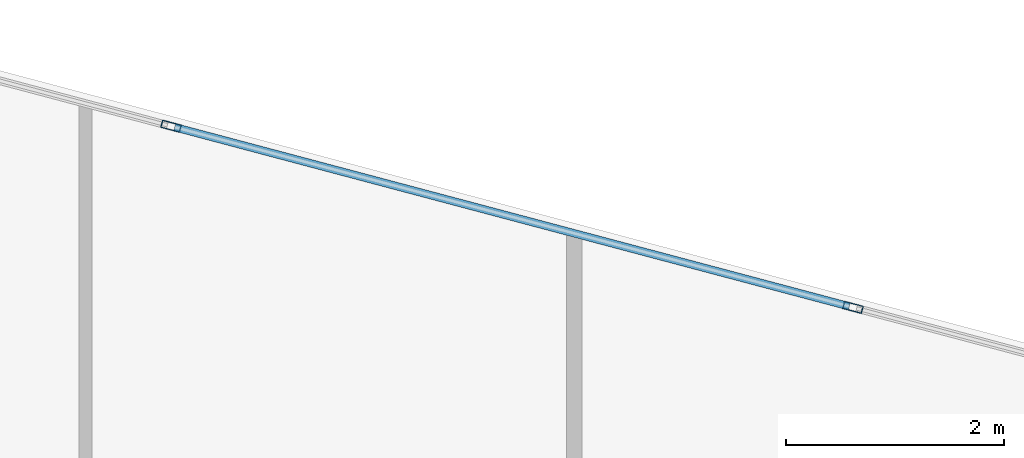
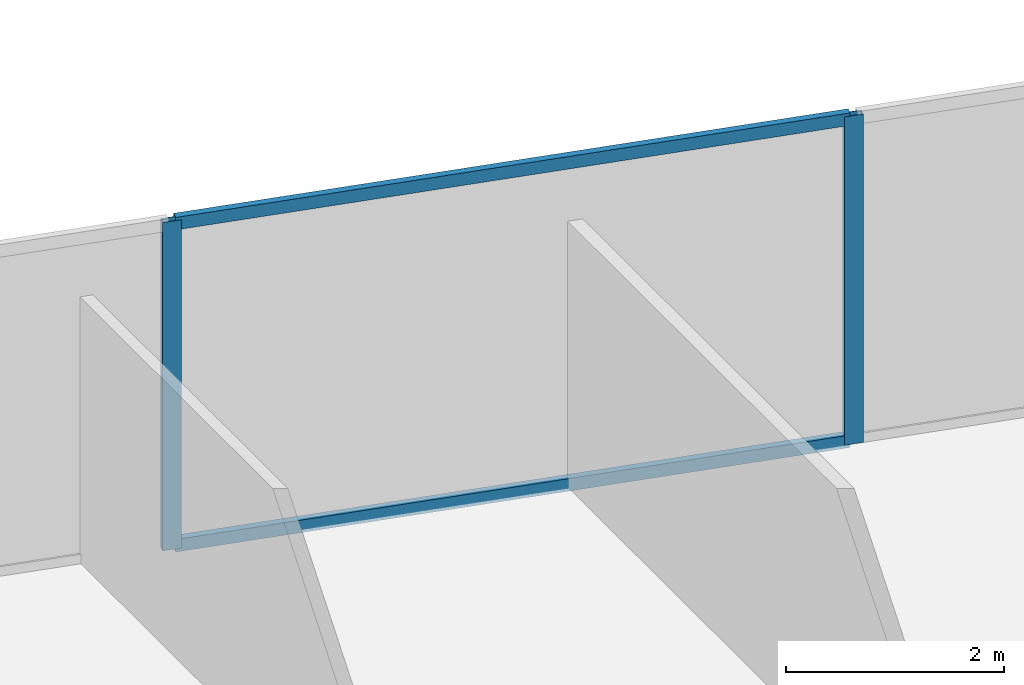
# One storey, part 21 of 27: 4 members, 1 element without a shape of its own.
"""IFC4 building model written with IfcOpenShell, lengths in metres."""

import ifcopenshell
import ifcopenshell.guid

model = None  # the IFC model being written
_history = None  # IfcOwnerHistory: only IFC2X3 demands one
_inside = {}  # id of a spatial element -> (the spatial element, [elements in it])
_under = {}  # id of a project, library or spatial element -> (it, [spatial elements below it])
_declared = {}  # id of a project -> (the project, [libraries it declares])
_typed = {}  # id of a type object -> (the type object, [elements of that type])
_made_of = {}  # id of a material, layer set ... -> (it, [elements and type objects made of it])


def new_model(schema):
    """Start an empty IFC model of exactly this schema.

    Asked for "IFC4X3", IfcOpenShell would pick the latest addendum, in which some entities
    have other attributes; the version numbers below select the first issue.
    IFC2X3 requires an IfcOwnerHistory on every rooted entity: one is made here for all.
    """
    global model, _history
    if schema == "IFC4X3":
        model = ifcopenshell.file(schema_version=(4, 3, 0, 0))
    else:
        model = ifcopenshell.file(schema=schema)
    _inside.clear()
    _under.clear()
    _declared.clear()
    _typed.clear()
    _made_of.clear()
    _history = None
    if model.schema == "IFC2X3":
        org = make("IfcOrganization", Name="unknown")
        user = make(
            "IfcPersonAndOrganization",
            ThePerson=make("IfcPerson", FamilyName="unknown"),
            TheOrganization=org,
        )
        app = make(
            "IfcApplication",
            ApplicationDeveloper=org,
            Version="unknown",
            ApplicationFullName="unknown",
            ApplicationIdentifier="unknown",
        )
        _history = make(
            "IfcOwnerHistory",
            OwningUser=user,
            OwningApplication=app,
            ChangeAction="ADDED",
            CreationDate=0,
        )
    return model


def make(cls, **values):
    """One entity of the class cls with the attributes given. An attribute that is None is left unset."""
    return model.create_entity(
        cls, **{name: value for name, value in values.items() if value is not None}
    )


def rooted(cls, **values):
    """An entity with a GlobalId (a new one), such as an element, a storey or a relation."""
    return make(cls, GlobalId=ifcopenshell.guid.new(), OwnerHistory=_history, **values)


def si_unit(unit_type, name, prefix=None):
    """IfcSIUnit, for example si_unit("LENGTHUNIT", "METRE", prefix="MILLI")."""
    return make("IfcSIUnit", UnitType=unit_type, Prefix=prefix, Name=name)


def assignment(units):
    """IfcUnitAssignment: the units of a project."""
    return None if units is None else make("IfcUnitAssignment", Units=units)


def point(xyz):
    """IfcCartesianPoint."""
    return None if xyz is None else make("IfcCartesianPoint", Coordinates=xyz)


def direction(xyz):
    """IfcDirection."""
    return None if xyz is None else make("IfcDirection", DirectionRatios=xyz)


def frame(location, z_axis=None, x_axis=None):
    """IfcAxis2Placement3D, a coordinate frame: its origin and axes. An axis left out is left unset."""
    return make(
        "IfcAxis2Placement3D",
        Location=point(location),
        Axis=direction(z_axis),
        RefDirection=direction(x_axis),
    )


def frame_2d(location, x_axis=None):
    """IfcAxis2Placement2D, a coordinate frame in the plane: its origin and x axis."""
    return make(
        "IfcAxis2Placement2D", Location=point(location), RefDirection=direction(x_axis)
    )


def origin():
    """The frame at (0, 0, 0) with its axes left unset."""
    return frame((0.0, 0.0, 0.0))


def origin_2d():
    """The frame at (0, 0) in the plane with its x axis left unset."""
    return frame_2d((0.0, 0.0))


def place(relative_to, where):
    """IfcLocalPlacement: puts the frame where relative to a parent placement (None: the world)."""
    return make(
        "IfcLocalPlacement", PlacementRelTo=relative_to, RelativePlacement=where
    )


def context(
    kind, dimensions, precision=None, world=None, true_north=None, identifier=None
):
    """IfcGeometricRepresentationContext, for example the 3D "Model" context."""
    return make(
        "IfcGeometricRepresentationContext",
        ContextIdentifier=identifier,
        ContextType=kind,
        CoordinateSpaceDimension=dimensions,
        Precision=precision,
        WorldCoordinateSystem=world,
        TrueNorth=true_north,
    )


def subcontext(parent, identifier, kind, view, scale=None):
    """IfcGeometricRepresentationSubContext, for example "Body" below "Model"."""
    return make(
        "IfcGeometricRepresentationSubContext",
        ContextIdentifier=identifier,
        ContextType=kind,
        ParentContext=parent,
        TargetScale=scale,
        TargetView=view,
    )


def project(units=None, contexts=None):
    """IfcProject with its units and contexts."""
    return rooted(
        "IfcProject",
        Name="project",
        RepresentationContexts=contexts,
        UnitsInContext=assignment(units),
    )


def spatial(cls, under=None, at=None, **own):
    """A site, building, storey or space (cls), placed at a placement, below another one or the project."""
    s = rooted(cls, ObjectPlacement=at, **own)
    if under is not None:
        _under.setdefault(under.id(), (under, []))[1].append(s)
    return s


def profile(cls, at=None, kind="AREA", **sizes):
    """A parametric profile (cls). Its sizes go by their IFC names, for example OverallWidth=200.0."""
    return make(cls, ProfileType=kind, Position=at, **sizes)


def hollow_rectangle(**sizes):
    """IfcRectangleHollowProfileDef."""
    return profile("IfcRectangleHollowProfileDef", **sizes)


def extrude(swept, where, along, depth):
    """IfcExtrudedAreaSolid: the profile swept, set in the frame where, extruded along a direction by depth."""
    return make(
        "IfcExtrudedAreaSolid",
        SweptArea=swept,
        Position=where,
        ExtrudedDirection=direction(along),
        Depth=depth,
    )


def shape(context_of_items, identifier, shape_type, items):
    """IfcShapeRepresentation: the items that make up one representation, for example the "Body"."""
    return make(
        "IfcShapeRepresentation",
        ContextOfItems=context_of_items,
        RepresentationIdentifier=identifier,
        RepresentationType=shape_type,
        Items=items,
    )


def source(mapping_origin, context_of_items, identifier, shape_type, items):
    """IfcRepresentationMap: a shape defined once, which mapped items show again and again."""
    return make(
        "IfcRepresentationMap",
        MappingOrigin=mapping_origin,
        MappedRepresentation=shape(context_of_items, identifier, shape_type, items),
    )


def transform(
    local_origin,
    x_axis=None,
    y_axis=None,
    z_axis=None,
    scale=None,
    scale2=None,
    scale3=None,
    uniform=True,
):
    """IfcCartesianTransformationOperator3D, or its non-uniform kind. x_axis, y_axis, z_axis: its Axis1, 2, 3."""
    if uniform:
        return make(
            "IfcCartesianTransformationOperator3D",
            Axis1=direction(x_axis),
            Axis2=direction(y_axis),
            LocalOrigin=point(local_origin),
            Scale=scale,
            Axis3=direction(z_axis),
        )
    return make(
        "IfcCartesianTransformationOperator3DnonUniform",
        Axis1=direction(x_axis),
        Axis2=direction(y_axis),
        LocalOrigin=point(local_origin),
        Scale=scale,
        Axis3=direction(z_axis),
        Scale2=scale2,
        Scale3=scale3,
    )


def mapped(mapping_source, mapping_target):
    """IfcMappedItem: shows the shape of a source again, moved by a transform."""
    return make(
        "IfcMappedItem", MappingSource=mapping_source, MappingTarget=mapping_target
    )


def material(Name=None, Category=None):
    """IfcMaterial."""
    return make("IfcMaterial", Name=Name, Category=Category)


def material_profile(
    of_material, cross_section, Name=None, Category=None, Priority=None
):
    """IfcMaterialProfile: a cross section and its material."""
    return make(
        "IfcMaterialProfile",
        Name=Name,
        Material=of_material,
        Profile=cross_section,
        Priority=Priority,
        Category=Category,
    )


def profile_set(profiles, Name=None, composite=None):
    """IfcMaterialProfileSet."""
    return make(
        "IfcMaterialProfileSet",
        Name=Name,
        MaterialProfiles=profiles,
        CompositeProfile=composite,
    )


def made_of(thing, what):
    """Note that an element or type object is made of a material, layer set ...; save() writes the relation."""
    if what is not None:
        _made_of.setdefault(what.id(), (what, []))[1].append(thing)
    return thing


def type_object(cls, material=None, **own):
    """A type object (cls), such as IfcWallType, which elements share."""
    return made_of(rooted(cls, **own), material)


def type_shapes(of_type, sources):
    """Give a type object the sources (RepresentationMaps) that its elements show as mapped items."""
    of_type.RepresentationMaps = sources


def element(
    cls,
    number,
    at=None,
    inside=None,
    cuts=None,
    type_object=None,
    material=None,
    context=None,
    identifier="Body",
    shape_type=None,
    held_by="IfcProductDefinitionShape",
    body=None,
    shapes=None,
    **own,
):
    """One element of the class cls, such as IfcWall. Its Tag is "e" and its number.

    at: its placement. inside: the storey or other place that contains it. cuts: it is an
    opening in that element (IfcRelVoidsElement). A single representation is given by context,
    identifier, shape_type and body (its items); several are given by shapes. held_by: the class
    of the entity that holds the representations. save() writes the other relations.
    """
    e = rooted(cls, Tag="e%d" % number, ObjectPlacement=at, **own)
    if body is not None:
        shapes = [shape(context, identifier, shape_type, body)]
    if shapes is not None:
        e.Representation = make(held_by, Representations=shapes)
    if inside is not None:
        _inside.setdefault(inside.id(), (inside, []))[1].append(e)
    if cuts is not None:
        rooted(
            "IfcRelVoidsElement", RelatingBuildingElement=cuts, RelatedOpeningElement=e
        )
    if type_object is not None:
        _typed.setdefault(type_object.id(), (type_object, []))[1].append(e)
    return made_of(e, material)


def aggregate(whole, parts):
    """IfcRelAggregates: a whole, such as a stair, and the parts it consists of."""
    return rooted("IfcRelAggregates", RelatingObject=whole, RelatedObjects=parts)


def save(model, path):
    """Write the relations noted so far, then the file.

    IfcRelAggregates (storeys below a building ...), IfcRelContainedInSpatialStructure (elements
    in a storey), IfcRelDefinesByType, IfcRelAssociatesMaterial and IfcRelDeclares: one each for
    every whole, place, type object, material and project.
    """
    for whole, parts in _under.values():
        aggregate(whole, parts)
    for where, things in _inside.values():
        rooted(
            "IfcRelContainedInSpatialStructure",
            RelatedElements=things,
            RelatingStructure=where,
        )
    for kind, things in _typed.values():
        rooted("IfcRelDefinesByType", RelatedObjects=things, RelatingType=kind)
    for what, things in _made_of.values():
        rooted("IfcRelAssociatesMaterial", RelatedObjects=things, RelatingMaterial=what)
    for by, libraries in _declared.values():
        rooted("IfcRelDeclares", RelatingContext=by, RelatedDefinitions=libraries)
    model.write(path)


model = new_model("IFC4")

# Units and contexts
model_context = context("Model", 3, precision=1e-05, world=origin(), true_north=direction((0.0, 1.0)))
body_context = subcontext(model_context, "Body", "Model", "MODEL_VIEW")
ifc_project = project(units=[si_unit("LENGTHUNIT", "METRE"), si_unit("AREAUNIT", "SQUARE_METRE"), si_unit("VOLUMEUNIT", "CUBIC_METRE"), si_unit("PLANEANGLEUNIT", "RADIAN"), si_unit("MASSUNIT", "GRAM", prefix="KILO")], contexts=[model_context])

# Site, building, storey
site_placement = place(None, origin())
site = spatial("IfcSite", under=ifc_project, at=site_placement, CompositionType="ELEMENT")
building_placement = place(site_placement, origin())
building = spatial("IfcBuilding", under=site, at=building_placement, Name="Krantzveldt Concourse Tower", CompositionType="ELEMENT")
storey_placement = place(building_placement, frame((0.0, 0.0, 101.89990234375)))
storey = spatial("IfcBuildingStorey", under=building, at=storey_placement, Name="L24", CompositionType="ELEMENT", Elevation=101.89990234375)

# Curtain wall, members
ifc_material = material(Name="Anodised aluminium 6063-T6", Category="aluminium")
curtain_wall_type = type_object("IfcCurtainWallType", Name="CW2", PredefinedType="USERDEFINED", material=ifc_material)
curtain_wall_placement = place(storey_placement, origin())
curtain_wall = element("IfcCurtainWall", 1, at=curtain_wall_placement, inside=storey, type_object=curtain_wall_type, Name="CW-L24-F14", ObjectType="UNITISED CURTAIN WALL", PredefinedType="USERDEFINED")
ifc_material_profile_1 = material_profile(ifc_material, hollow_rectangle(XDim=0.070068359375, YDim=0.179931640625, WallThickness=0.0048828125, at=origin_2d()), Name="Anodised aluminium 6063-T6", Category="aluminium")
ifc_profile_set_1 = profile_set([ifc_material_profile_1], Name="Anodised aluminium 6063-T6 - ALU-MULL 180x70x5")
member_type_1 = type_object("IfcMemberType", Name="CW-MUL-180", PredefinedType="MULLION", material=ifc_profile_set_1)
shared_shape_1 = source(origin(), body_context, "Body", "SweptSolid", [
    extrude(hollow_rectangle(XDim=0.070068359375, YDim=0.179931640625, WallThickness=0.0048828125, at=origin_2d()), origin(), (0.0, 0.0, 1.0), 3.670166015625),
])
type_shapes(member_type_1, [shared_shape_1])
member_1_placement = place(storey_placement, frame((48.23388671875, 47.56884765625, 0.0), z_axis=(0.0, 0.0, 1.0), x_axis=(-0.256711093648, -0.966488186373, 0.0)))
member_1 = element("IfcMember", 2, at=member_1_placement, type_object=member_type_1, Name="CW-Z12 mullion 3", PredefinedType="MULLION", context=body_context, shape_type="MappedRepresentation", body=[
    mapped(shared_shape_1, transform((0.0, 0.0, 0.0), x_axis=(1.0, 0.0, 0.0), y_axis=(0.0, 1.0, 0.0), z_axis=(0.0, 0.0, 1.0), scale=1.0)),
])
member_2_placement = place(storey_placement, frame((41.98388671875, 49.228759765625, 0.0), z_axis=(0.0, 0.0, 1.0), x_axis=(-0.256711093648, -0.966488186373, 0.0)))
member_2 = element("IfcMember", 3, at=member_2_placement, type_object=member_type_1, Name="CW-Z12 mullion 4", PredefinedType="MULLION", context=body_context, shape_type="MappedRepresentation", body=[
    mapped(shared_shape_1, transform((0.0, 0.0, 0.0), x_axis=(1.0, 0.0, 0.0), y_axis=(0.0, 1.0, 0.0), z_axis=(0.0, 0.0, 1.0), scale=1.0)),
])
ifc_material_profile_2 = material_profile(ifc_material, hollow_rectangle(XDim=0.070068359375, YDim=0.139892578125, WallThickness=0.0048828125, at=origin_2d()), Name="Anodised aluminium 6063-T6", Category="aluminium")
ifc_profile_set_2 = profile_set([ifc_material_profile_2], Name="Anodised aluminium 6063-T6 - ALU-TRAN 140x70x5")
member_type_2 = type_object("IfcMemberType", Name="CW-TRN-150", PredefinedType="USERDEFINED", material=ifc_profile_set_2)
shared_shape_2 = source(origin(), body_context, "Body", "SweptSolid", [
    extrude(hollow_rectangle(XDim=0.070068359375, YDim=0.139892578125, WallThickness=0.0048828125, at=origin_2d()), origin(), (0.0, 0.0, 1.0), 6.396484375),
])
type_shapes(member_type_2, [shared_shape_2])
member_3_placement = place(storey_placement, frame((48.199951171875, 47.577880859375, 0.03515625), z_axis=(-0.966486606622, 0.256717041156, 0.0), x_axis=(-0.256717041156, -0.966486606622, 0.0)))
member_3 = element("IfcMember", 4, at=member_3_placement, type_object=member_type_2, Name="CW-Z12 transom 3.1", ObjectType="TRANSOM", PredefinedType="USERDEFINED", context=body_context, shape_type="MappedRepresentation", body=[
    mapped(shared_shape_2, transform((0.0, 0.0, 0.0), x_axis=(1.0, 0.0, 0.0), y_axis=(0.0, 1.0, 0.0), z_axis=(0.0, 0.0, 1.0), scale=1.0)),
])
member_4_placement = place(storey_placement, frame((48.199951171875, 47.577880859375, 3.635009765625), z_axis=(-0.966486606622, 0.256717041156, 0.0), x_axis=(-0.256717041156, -0.966486606622, 0.0)))
member_4 = element("IfcMember", 5, at=member_4_placement, type_object=member_type_2, Name="CW-Z12 transom 3.2", ObjectType="TRANSOM", PredefinedType="USERDEFINED", context=body_context, shape_type="MappedRepresentation", body=[
    mapped(shared_shape_2, transform((0.0, 0.0, 0.0), x_axis=(1.0, 0.0, 0.0), y_axis=(0.0, 1.0, 0.0), z_axis=(0.0, 0.0, 1.0), scale=1.0)),
])
aggregate(curtain_wall, [member_1, member_2, member_3, member_4])

save(model, "model.ifc")
